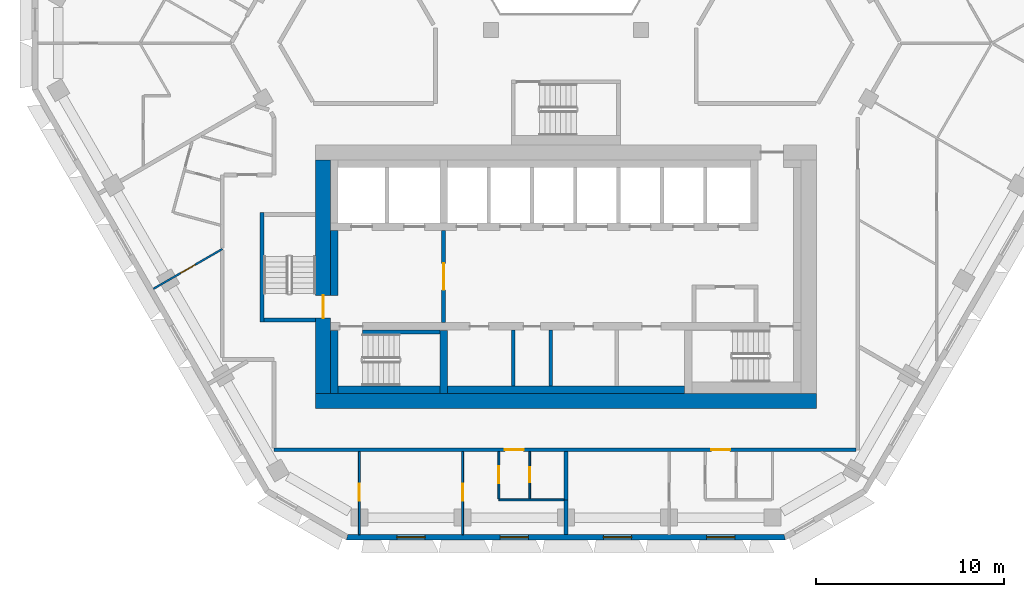
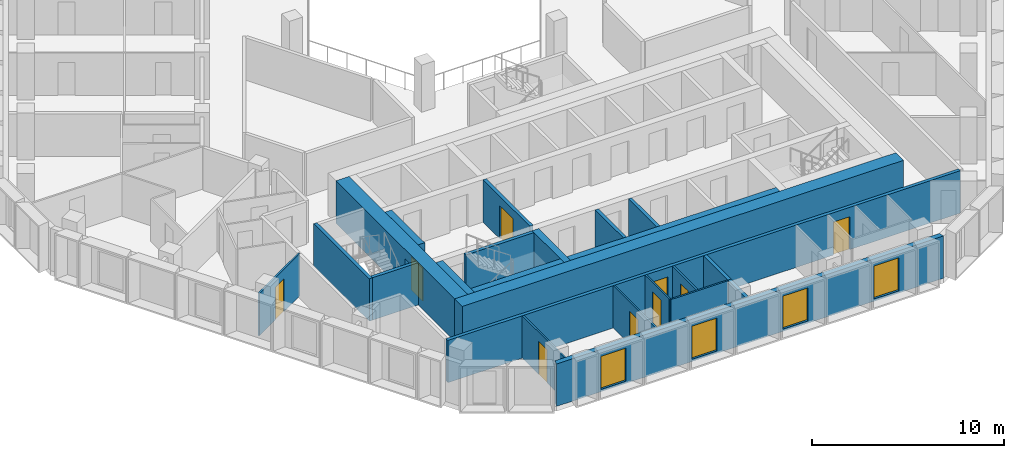
# One storey, part 3 of 15: 23 walls, 9 doors, 4 windows, 13 openings.
"""IFC4 building model written with IfcOpenShell, lengths in metres."""

from ifc_helpers import new_model, si_unit, direction, frame, frame_2d, origin, place, context, subcontext, project, spatial, polyline, rectangle, outline, extrude, material, layer, layer_set, type_object, element, fill, save


model = new_model("IFC4")

# Units and contexts
model_context = context("Model", 3, precision=1e-05, world=origin(), true_north=direction((0.0, 1.0)))
body_context = subcontext(model_context, "Body", "Model", "MODEL_VIEW")
ifc_project = project(units=[si_unit("LENGTHUNIT", "METRE"), si_unit("AREAUNIT", "SQUARE_METRE"), si_unit("VOLUMEUNIT", "CUBIC_METRE"), si_unit("PLANEANGLEUNIT", "RADIAN"), si_unit("MASSUNIT", "GRAM", prefix="KILO")], contexts=[model_context])

# Site, building, storey
site_placement = place(None, origin())
site = spatial("IfcSite", under=ifc_project, at=site_placement, CompositionType="ELEMENT")
building_placement = place(site_placement, origin())
building = spatial("IfcBuilding", under=site, at=building_placement, Name="Beryl Residences", CompositionType="ELEMENT")
storey_placement = place(building_placement, frame((0.0, 0.0, 129.60009765625)))
storey = spatial("IfcBuildingStorey", under=building, at=storey_placement, Name="L39", CompositionType="ELEMENT", Elevation=129.60009765625)

# Wall, openings, windows
ifc_material_1 = material(Name="Composite metal panel with mineral wool insulation")
ifc_layer_1 = layer(ifc_material_1, 0.300048828125)
ifc_layer_set_1 = layer_set([ifc_layer_1], Name="ES1 pale metal composite panel wall 300 mm")
wall_type_1 = type_object("IfcWallType", Name="ES1 pale metal composite panel wall 300 mm", PredefinedType="SOLIDWALL", material=ifc_layer_set_1)
wall_1_placement = place(storey_placement, frame((-11.662109375, -25.85009765625, 0.0), z_axis=(0.0, 0.0, 1.0), x_axis=(1.0, 0.0, 0.0)))
wall_1 = element("IfcWall", 1, at=wall_1_placement, inside=storey, type_object=wall_type_1, Name="ES1 external wall L39 S", PredefinedType="SOLIDWALL", context=body_context, shape_type="SweptSolid", body=[
    extrude(outline(polyline([(0.0, -0.14990234375), (23.32421875, -0.14990234375), (23.243896484375, 0.14990234375), (0.080322265625, 0.14990234375), (0.0, -0.14990234375)])), origin(), (0.0, 0.0, 1.0), 2.699951171875),
])
opening_1_placement = place(wall_1_placement, frame((2.68603515625, 0.0, 0.14990234375)))
opening_1 = element("IfcOpeningElement", 2, at=opening_1_placement, cuts=wall_1, Name="Opening W1", PredefinedType="OPENING", context=body_context, shape_type="SweptSolid", body=[
    extrude(rectangle(XDim=1.5, YDim=2.10009765625, at=frame_2d((0.75, 1.050048828125))), frame((0.0, 0.159912109375, 0.0), z_axis=(0.0, -1.0, 0.0), x_axis=(1.0, 0.0, 0.0)), (0.0, 0.0, 1.0), 0.320068359375),
])
opening_2_placement = place(wall_1_placement, frame((8.169921875, 0.0, 0.14990234375)))
opening_2 = element("IfcOpeningElement", 3, at=opening_2_placement, cuts=wall_1, Name="Opening W1", PredefinedType="OPENING", context=body_context, shape_type="SweptSolid", body=[
    extrude(rectangle(XDim=1.5, YDim=2.10009765625, at=frame_2d((0.75, 1.050048828125))), frame((0.0, 0.159912109375, 0.0), z_axis=(0.0, -1.0, 0.0), x_axis=(1.0, 0.0, 0.0)), (0.0, 0.0, 1.0), 0.320068359375),
])
opening_3_placement = place(wall_1_placement, frame((13.656005859375, 0.0, 0.14990234375)))
opening_3 = element("IfcOpeningElement", 4, at=opening_3_placement, cuts=wall_1, Name="Opening W1", PredefinedType="OPENING", context=body_context, shape_type="SweptSolid", body=[
    extrude(rectangle(XDim=1.5, YDim=2.10009765625, at=frame_2d((0.75, 1.050048828125))), frame((0.0, 0.159912109375, 0.0), z_axis=(0.0, -1.0, 0.0), x_axis=(1.0, 0.0, 0.0)), (0.0, 0.0, 1.0), 0.320068359375),
])
opening_4_placement = place(wall_1_placement, frame((19.14111328125, 0.0, 0.14990234375)))
opening_4 = element("IfcOpeningElement", 5, at=opening_4_placement, cuts=wall_1, Name="Opening W1", PredefinedType="OPENING", context=body_context, shape_type="SweptSolid", body=[
    extrude(rectangle(XDim=1.5, YDim=2.10009765625, at=frame_2d((0.75, 1.050048828125))), frame((0.0, 0.159912109375, 0.0), z_axis=(0.0, -1.0, 0.0), x_axis=(1.0, 0.0, 0.0)), (0.0, 0.0, 1.0), 0.320068359375),
])
ifc_material_2 = material(Name="Aluminium and clear glass", Category="aluminium")
window_type = type_object("IfcWindowType", Name="W1 cell window 1500 x 2100 mm", PartitioningType="SINGLE_PANEL", PredefinedType="WINDOW", material=ifc_material_2)
window_1_placement = place(opening_1_placement, origin())
window_1 = element("IfcWindow", 6, at=window_1_placement, inside=storey, type_object=window_type, Name="W1 window L39 S 2", OverallHeight=2.10009765625, OverallWidth=1.5, PartitioningType="SINGLE_PANEL", PredefinedType="WINDOW", context=body_context, shape_type="SweptSolid", body=[
    extrude(rectangle(XDim=1.5, YDim=2.10009765625, at=frame_2d((0.75, 1.050048828125))), frame((0.0, 0.030029296875, 0.0), z_axis=(0.0, -1.0, 0.0), x_axis=(1.0, 0.0, 0.0)), (0.0, 0.0, 1.0), 0.06005859375),
])
fill(opening_1, window_1)
window_2_placement = place(opening_2_placement, origin())
window_2 = element("IfcWindow", 7, at=window_2_placement, inside=storey, type_object=window_type, Name="W1 window L39 S 4", OverallHeight=2.10009765625, OverallWidth=1.5, PartitioningType="SINGLE_PANEL", PredefinedType="WINDOW", context=body_context, shape_type="SweptSolid", body=[
    extrude(rectangle(XDim=1.5, YDim=2.10009765625, at=frame_2d((0.75, 1.050048828125))), frame((0.0, 0.030029296875, 0.0), z_axis=(0.0, -1.0, 0.0), x_axis=(1.0, 0.0, 0.0)), (0.0, 0.0, 1.0), 0.06005859375),
])
fill(opening_2, window_2)
window_3_placement = place(opening_3_placement, origin())
window_3 = element("IfcWindow", 8, at=window_3_placement, inside=storey, type_object=window_type, Name="W1 window L39 S 6", OverallHeight=2.10009765625, OverallWidth=1.5, PartitioningType="SINGLE_PANEL", PredefinedType="WINDOW", context=body_context, shape_type="SweptSolid", body=[
    extrude(rectangle(XDim=1.5, YDim=2.10009765625, at=frame_2d((0.75, 1.050048828125))), frame((0.0, 0.030029296875, 0.0), z_axis=(0.0, -1.0, 0.0), x_axis=(1.0, 0.0, 0.0)), (0.0, 0.0, 1.0), 0.06005859375),
])
fill(opening_3, window_3)
window_4_placement = place(opening_4_placement, origin())
window_4 = element("IfcWindow", 9, at=window_4_placement, inside=storey, type_object=window_type, Name="W1 window L39 S 8", OverallHeight=2.10009765625, OverallWidth=1.5, PartitioningType="SINGLE_PANEL", PredefinedType="WINDOW", context=body_context, shape_type="SweptSolid", body=[
    extrude(rectangle(XDim=1.5, YDim=2.10009765625, at=frame_2d((0.75, 1.050048828125))), frame((0.0, 0.030029296875, 0.0), z_axis=(0.0, -1.0, 0.0), x_axis=(1.0, 0.0, 0.0)), (0.0, 0.0, 1.0), 0.06005859375),
])
fill(opening_4, window_4)

# Wall, opening, door
ifc_material_3 = material(Name="Gypsum board partition on steel studs", Category="steel")
ifc_layer_2 = layer(ifc_material_3, 0.10009765625)
ifc_layer_set_2 = layer_set([ifc_layer_2], Name="PT1 partition 100 mm gypsum board on steel studs")
wall_type_2 = type_object("IfcWallType", Name="PT1 partition 100 mm gypsum board on steel studs", PredefinedType="PARTITIONING", material=ifc_layer_set_2)
wall_2_placement = place(storey_placement, frame((-3.56396484375, -21.300048828125, 0.0), z_axis=(0.0, 0.0, 1.0), x_axis=(0.0, -1.0, 0.0)))
wall_2 = element("IfcWall", 10, at=wall_2_placement, inside=storey, type_object=wall_type_2, Name="Wall PT1 L39 006", PredefinedType="PARTITIONING", context=body_context, shape_type="SweptSolid", body=[
    extrude(rectangle(XDim=2.509033203125, YDim=0.10009765625, at=frame_2d((1.25439453125, 0.0))), origin(), (0.0, 0.0, 1.0), 2.699951171875),
])
opening_5_placement = place(wall_2_placement, frame((0.780029296875, 0.0, 0.0)))
opening_5 = element("IfcOpeningElement", 11, at=opening_5_placement, cuts=wall_2, Name="Opening D1202", PredefinedType="OPENING", context=body_context, shape_type="SweptSolid", body=[
    extrude(rectangle(XDim=0.89990234375, YDim=2.10009765625, at=frame_2d((0.449951171875, 1.050048828125))), frame((0.0, 0.06005859375, 0.0), z_axis=(0.0, -1.0, 0.0), x_axis=(1.0, 0.0, 0.0)), (0.0, 0.0, 1.0), 0.1201171875),
])
ifc_material_4 = material(Name="Timber door leaf", Category="wood")
door_type_1 = type_object("IfcDoorType", Name="D2 room door 900 x 2100 mm", OperationType="SINGLE_SWING_LEFT", PredefinedType="DOOR", material=ifc_material_4)
door_1_placement = place(opening_5_placement, origin())
door_1 = element("IfcDoor", 12, at=door_1_placement, inside=storey, type_object=door_type_1, Name="Door D1202 L39 001", OperationType="SINGLE_SWING_RIGHT", OverallHeight=2.10009765625, OverallWidth=0.89990234375, PredefinedType="DOOR", context=body_context, shape_type="SweptSolid", body=[
    extrude(rectangle(XDim=0.89990234375, YDim=2.10009765625, at=frame_2d((0.449951171875, 1.050048828125))), frame((0.0, 0.02490234375, 0.0), z_axis=(0.0, -1.0, 0.0), x_axis=(1.0, 0.0, 0.0)), (0.0, 0.0, 1.0), 0.050048828125),
])
fill(opening_5, door_1)

# Wall
wall_3_placement = place(storey_placement, frame((-3.56298828125, -23.860107421875, 0.0), z_axis=(0.0, 0.0, 1.0), x_axis=(1.0, 0.0, 0.0)))
element("IfcWall", 13, at=wall_3_placement, inside=storey, type_object=wall_type_2, Name="Wall PT1 L39 020", PredefinedType="PARTITIONING", context=body_context, shape_type="SweptSolid", body=[
    extrude(rectangle(XDim=3.4638671875, YDim=0.10009765625, at=frame_2d((1.73193359375, 0.0))), origin(), (0.0, 0.0, 1.0), 2.699951171875),
])

# Wall, opening, door
wall_4_placement = place(storey_placement, frame((-5.48388671875, -25.699951171875, 0.0), z_axis=(0.0, 0.0, 1.0), x_axis=(0.0, 1.0, 0.0)))
wall_4 = element("IfcWall", 14, at=wall_4_placement, inside=storey, type_object=wall_type_2, Name="Wall PT1 L39 044", PredefinedType="PARTITIONING", context=body_context, shape_type="SweptSolid", body=[
    extrude(rectangle(XDim=4.39990234375, YDim=0.10009765625, at=frame_2d((2.199951171875, 0.0))), origin(), (0.0, 0.0, 1.0), 2.699951171875),
])
opening_6_placement = place(wall_4_placement, frame((1.800048828125, 0.0, 0.0)))
opening_6 = element("IfcOpeningElement", 15, at=opening_6_placement, cuts=wall_4, Name="Opening D1204", PredefinedType="OPENING", context=body_context, shape_type="SweptSolid", body=[
    extrude(rectangle(XDim=0.89990234375, YDim=2.10009765625, at=frame_2d((0.449951171875, 1.050048828125))), frame((0.0, 0.06005859375, 0.0), z_axis=(0.0, -1.0, 0.0), x_axis=(1.0, 0.0, 0.0)), (0.0, 0.0, 1.0), 0.1201171875),
])
door_2_placement = place(opening_6_placement, origin())
door_2 = element("IfcDoor", 16, at=door_2_placement, inside=storey, type_object=door_type_1, Name="Door D1204 L39 001", OperationType="SINGLE_SWING_RIGHT", OverallHeight=2.10009765625, OverallWidth=0.89990234375, PredefinedType="DOOR", context=body_context, shape_type="SweptSolid", body=[
    extrude(rectangle(XDim=0.89990234375, YDim=2.10009765625, at=frame_2d((0.449951171875, 1.050048828125))), frame((0.0, 0.02490234375, 0.0), z_axis=(0.0, -1.0, 0.0), x_axis=(1.0, 0.0, 0.0)), (0.0, 0.0, 1.0), 0.050048828125),
])
fill(opening_6, door_2)

wall_5_placement = place(storey_placement, frame((-10.968994140625, -25.699951171875, 0.0), z_axis=(0.0, 0.0, 1.0), x_axis=(0.0, 1.0, 0.0)))
wall_5 = element("IfcWall", 17, at=wall_5_placement, inside=storey, type_object=wall_type_2, Name="Wall PT1 L39 046", PredefinedType="PARTITIONING", context=body_context, shape_type="SweptSolid", body=[
    extrude(rectangle(XDim=4.39990234375, YDim=0.10009765625, at=frame_2d((2.199951171875, 0.0))), origin(), (0.0, 0.0, 1.0), 2.699951171875),
])
opening_7_placement = place(wall_5_placement, frame((1.800048828125, 0.0, 0.0)))
opening_7 = element("IfcOpeningElement", 18, at=opening_7_placement, cuts=wall_5, Name="Opening D1205", PredefinedType="OPENING", context=body_context, shape_type="SweptSolid", body=[
    extrude(rectangle(XDim=0.89990234375, YDim=2.10009765625, at=frame_2d((0.449951171875, 1.050048828125))), frame((0.0, 0.06005859375, 0.0), z_axis=(0.0, -1.0, 0.0), x_axis=(1.0, 0.0, 0.0)), (0.0, 0.0, 1.0), 0.1201171875),
])
door_3_placement = place(opening_7_placement, origin())
door_3 = element("IfcDoor", 19, at=door_3_placement, inside=storey, type_object=door_type_1, Name="Door D1205 L39 001", OperationType="SINGLE_SWING_LEFT", OverallHeight=2.10009765625, OverallWidth=0.89990234375, PredefinedType="DOOR", context=body_context, shape_type="SweptSolid", body=[
    extrude(rectangle(XDim=0.89990234375, YDim=2.10009765625, at=frame_2d((0.449951171875, 1.050048828125))), frame((0.0, 0.02490234375, 0.0), z_axis=(0.0, -1.0, 0.0), x_axis=(1.0, 0.0, 0.0)), (0.0, 0.0, 1.0), 0.050048828125),
])
fill(opening_7, door_3)

wall_6_placement = place(storey_placement, frame((-1.9189453125, -23.81005859375, 0.0), z_axis=(0.0, 0.0, 1.0), x_axis=(0.0, 1.0, 0.0)))
wall_6 = element("IfcWall", 20, at=wall_6_placement, inside=storey, type_object=wall_type_2, Name="Wall PT1 L39 047", PredefinedType="PARTITIONING", context=body_context, shape_type="SweptSolid", body=[
    extrude(rectangle(XDim=2.510009765625, YDim=0.10009765625, at=frame_2d((1.2548828125, 0.0))), origin(), (0.0, 0.0, 1.0), 2.699951171875),
])
opening_8_placement = place(wall_6_placement, frame((0.8798828125, 0.0, 0.0)))
opening_8 = element("IfcOpeningElement", 21, at=opening_8_placement, cuts=wall_6, Name="Opening D1203", PredefinedType="OPENING", context=body_context, shape_type="SweptSolid", body=[
    extrude(rectangle(XDim=0.800048828125, YDim=2.10009765625, at=frame_2d((0.39990234375, 1.050048828125))), frame((0.0, 0.06005859375, 0.0), z_axis=(0.0, -1.0, 0.0), x_axis=(1.0, 0.0, 0.0)), (0.0, 0.0, 1.0), 0.1201171875),
])
ifc_material_5 = material(Name="Timber door leaf", Category="wood")
door_type_2 = type_object("IfcDoorType", Name="D3 bathroom door 800 x 2100 mm", OperationType="SINGLE_SWING_LEFT", PredefinedType="DOOR", material=ifc_material_5)
door_4_placement = place(opening_8_placement, origin())
door_4 = element("IfcDoor", 22, at=door_4_placement, inside=storey, type_object=door_type_2, Name="Door D1203 L39 001", OperationType="SINGLE_SWING_LEFT", OverallHeight=2.10009765625, OverallWidth=0.800048828125, PredefinedType="DOOR", context=body_context, shape_type="SweptSolid", body=[
    extrude(rectangle(XDim=0.800048828125, YDim=2.10009765625, at=frame_2d((0.39990234375, 1.050048828125))), frame((0.0, 0.02490234375, 0.0), z_axis=(0.0, -1.0, 0.0), x_axis=(1.0, 0.0, 0.0)), (0.0, 0.0, 1.0), 0.050048828125),
])
fill(opening_8, door_4)

wall_7_placement = place(storey_placement, frame((-21.910888671875, -12.64892578125, 0.0), z_axis=(0.0, 0.0, 1.0), x_axis=(0.865984571374, 0.500070717141, 0.0)))
wall_7 = element("IfcWall", 23, at=wall_7_placement, inside=storey, type_object=wall_type_2, Name="Wall PT1 L39 050", PredefinedType="PARTITIONING", context=body_context, shape_type="SweptSolid", body=[
    extrude(rectangle(XDim=4.2275390625, YDim=0.10009765625, at=frame_2d((2.11376953125, 0.0))), origin(), (0.0, 0.0, 1.0), 2.699951171875),
])
opening_9_placement = place(wall_7_placement, frame((1.6640625, 0.0, 0.0)))
opening_9 = element("IfcOpeningElement", 24, at=opening_9_placement, cuts=wall_7, Name="Opening D1253", PredefinedType="OPENING", context=body_context, shape_type="SweptSolid", body=[
    extrude(rectangle(XDim=0.89990234375, YDim=2.10009765625, at=frame_2d((0.449951171875, 1.050048828125))), frame((0.0, 0.06005859375, 0.0), z_axis=(0.0, -1.0, 0.0), x_axis=(1.0, 0.0, 0.0)), (0.0, 0.0, 1.0), 0.1201171875),
])
door_5_placement = place(opening_9_placement, origin())
door_5 = element("IfcDoor", 25, at=door_5_placement, inside=storey, type_object=door_type_1, Name="Door D1253 L39 001", OperationType="SINGLE_SWING_LEFT", OverallHeight=2.10009765625, OverallWidth=0.89990234375, PredefinedType="DOOR", context=body_context, shape_type="SweptSolid", body=[
    extrude(rectangle(XDim=0.89990234375, YDim=2.10009765625, at=frame_2d((0.449951171875, 1.050048828125))), frame((0.0, 0.02490234375, 0.0), z_axis=(0.0, -1.0, 0.0), x_axis=(1.0, 0.0, 0.0)), (0.0, 0.0, 1.0), 0.050048828125),
])
fill(opening_9, door_5)

ifc_material_6 = material(Name="Concrete masonry", Category="masonry")
ifc_layer_3 = layer(ifc_material_6, 0.199951171875)
ifc_layer_set_3 = layer_set([ifc_layer_3], Name="PT13 lobby wall 200 mm")
wall_type_3 = type_object("IfcWallType", Name="PT13 lobby wall 200 mm", PredefinedType="PARTITIONING", material=ifc_layer_set_3)
wall_8_placement = place(storey_placement, frame((-6.5, -14.449951171875, 0.0), z_axis=(0.0, 0.0, 1.0), x_axis=(0.0, 1.0, 0.0)))
wall_8 = element("IfcWall", 26, at=wall_8_placement, inside=storey, type_object=wall_type_3, Name="Lobby wall 11", PredefinedType="PARTITIONING", context=body_context, shape_type="SweptSolid", body=[
    extrude(rectangle(XDim=4.89990234375, YDim=0.199951171875, at=frame_2d((2.449951171875, 0.0))), origin(), (0.0, 0.0, 1.0), 2.699951171875),
])
opening_10_placement = place(wall_8_placement, frame((3.14990234375, 0.0, 0.0), z_axis=(0.0, 0.0, 1.0), x_axis=(-1.0, 0.0, 0.0)))
opening_10 = element("IfcOpeningElement", 27, at=opening_10_placement, cuts=wall_8, Name="Opening FD-FFL", PredefinedType="OPENING", context=body_context, shape_type="SweptSolid", body=[
    extrude(rectangle(XDim=1.39990234375, YDim=2.10009765625, at=frame_2d((0.699951171875, 1.050048828125))), frame((0.0, 0.10986328125, 0.0), z_axis=(0.0, -1.0, 0.0), x_axis=(1.0, 0.0, 0.0)), (0.0, 0.0, 1.0), 0.219970703125),
])
ifc_material_7 = material(Name="Steel door leaf in steel frame", Category="steel")
door_type_3 = type_object("IfcDoorType", Name="D5 lobby door 1400 x 2100 mm", OperationType="DOUBLE_DOOR_SINGLE_SWING", PredefinedType="DOOR", material=ifc_material_7)
door_6_placement = place(opening_10_placement, origin())
door_6 = element("IfcDoor", 28, at=door_6_placement, inside=storey, type_object=door_type_3, Name="Door FD-FFL L39 001", OperationType="DOUBLE_DOOR_SINGLE_SWING", OverallHeight=2.10009765625, OverallWidth=1.39990234375, PredefinedType="DOOR", context=body_context, shape_type="SweptSolid", body=[
    extrude(rectangle(XDim=1.39990234375, YDim=2.10009765625, at=frame_2d((0.699951171875, 1.050048828125))), frame((0.0, 0.02490234375, 0.0), z_axis=(0.0, -1.0, 0.0), x_axis=(1.0, 0.0, 0.0)), (0.0, 0.0, 1.0), 0.050048828125),
])
fill(opening_10, door_6)

# Walls
ifc_material_8 = material(Name="Concrete masonry", Category="masonry")
ifc_layer_4 = layer(ifc_material_8, 0.39990234375)
ifc_layer_set_4 = layer_set([ifc_layer_4], Name="PT13-400 lobby wall 400 mm")
wall_type_4 = type_object("IfcWallType", Name="PT13-400 lobby wall 400 mm", PredefinedType="PARTITIONING", material=ifc_layer_set_4)
wall_9_placement = place(storey_placement, frame((-12.300048828125, -13.0, 0.0), z_axis=(0.0, 0.0, 1.0), x_axis=(0.0, 1.0, 0.0)))
element("IfcWall", 29, at=wall_9_placement, inside=storey, type_object=wall_type_4, Name="Lobby wall 05", PredefinedType="PARTITIONING", context=body_context, shape_type="SweptSolid", body=[
    extrude(rectangle(XDim=3.449951171875, YDim=0.39990234375, at=frame_2d((1.72509765625, 0.0))), origin(), (0.0, 0.0, 1.0), 2.699951171875),
])
ifc_material_9 = material(Name="Acoustic double stud gypsum board wall")
ifc_layer_5 = layer(ifc_material_9, 0.199951171875)
ifc_layer_set_5 = layer_set([ifc_layer_5], Name="PT3 party wall 200 mm acoustic double stud")
wall_type_5 = type_object("IfcWallType", Name="PT3 party wall 200 mm acoustic double stud", PredefinedType="PARTITIONING", material=ifc_layer_set_5)
wall_10_placement = place(storey_placement, frame((0.0009765625, -23.860107421875, 0.0), z_axis=(0.0, 0.0, 1.0), x_axis=(0.0, -1.0, 0.0)))
element("IfcWall", 30, at=wall_10_placement, inside=storey, type_object=wall_type_5, Name="Wall PT3 L39 003", PredefinedType="PARTITIONING", context=body_context, shape_type="SweptSolid", body=[
    extrude(rectangle(XDim=1.83984375, YDim=0.199951171875, at=frame_2d((0.919921875, 0.0))), origin(), (0.0, 0.0, 1.0), 2.699951171875),
])
wall_11_placement = place(storey_placement, frame((0.0009765625, -23.860107421875, 0.0), z_axis=(0.0, 0.0, 1.0), x_axis=(0.0, 1.0, 0.0)))
element("IfcWall", 31, at=wall_11_placement, inside=storey, type_object=wall_type_5, Name="Wall PT3 L39 010", PredefinedType="PARTITIONING", context=body_context, shape_type="SweptSolid", body=[
    extrude(rectangle(XDim=2.56005859375, YDim=0.199951171875, at=frame_2d((1.280029296875, 0.0))), origin(), (0.0, 0.0, 1.0), 2.699951171875),
])

# Wall, openings, doors
ifc_material_10 = material(Name="Double stud gypsum board wall")
ifc_layer_6 = layer(ifc_material_10, 0.199951171875)
ifc_layer_set_6 = layer_set([ifc_layer_6], Name="PT4 corridor wall 200 mm double stud")
wall_type_6 = type_object("IfcWallType", Name="PT4 corridor wall 200 mm double stud", PredefinedType="PARTITIONING", material=ifc_layer_set_6)
wall_12_placement = place(storey_placement, frame((-15.4990234375, -21.199951171875, 0.0), z_axis=(0.0, 0.0, 1.0), x_axis=(1.0, 0.0, 0.0)))
wall_12 = element("IfcWall", 32, at=wall_12_placement, inside=storey, type_object=wall_type_6, Name="Wall PT4 L39 012", PredefinedType="PARTITIONING", context=body_context, shape_type="SweptSolid", body=[
    extrude(rectangle(XDim=30.89794921875, YDim=0.199951171875, at=frame_2d((15.448974609375, 0.0))), origin(), (0.0, 0.0, 1.0), 2.699951171875),
])
opening_11_placement = place(wall_12_placement, frame((12.258056640625, 0.0, 0.0)))
opening_11 = element("IfcOpeningElement", 33, at=opening_11_placement, cuts=wall_12, Name="Opening D1201", PredefinedType="OPENING", context=body_context, shape_type="SweptSolid", body=[
    extrude(rectangle(XDim=1.0, YDim=2.10009765625, at=frame_2d((0.5, 1.050048828125))), frame((0.0, 0.10986328125, 0.0), z_axis=(0.0, -1.0, 0.0), x_axis=(1.0, 0.0, 0.0)), (0.0, 0.0, 1.0), 0.219970703125),
])
opening_12_placement = place(wall_12_placement, frame((23.22802734375, 0.0, 0.0)))
opening_12 = element("IfcOpeningElement", 34, at=opening_12_placement, cuts=wall_12, Name="Opening D1206", PredefinedType="OPENING", context=body_context, shape_type="SweptSolid", body=[
    extrude(rectangle(XDim=1.0, YDim=2.10009765625, at=frame_2d((0.5, 1.050048828125))), frame((0.0, 0.10986328125, 0.0), z_axis=(0.0, -1.0, 0.0), x_axis=(1.0, 0.0, 0.0)), (0.0, 0.0, 1.0), 0.219970703125),
])
ifc_material_11 = material(Name="Timber door leaf", Category="wood")
door_type_4 = type_object("IfcDoorType", Name="D1 flat entrance door 1000 x 2100 mm", OperationType="SINGLE_SWING_LEFT", PredefinedType="DOOR", material=ifc_material_11)
door_7_placement = place(opening_11_placement, origin())
door_7 = element("IfcDoor", 35, at=door_7_placement, inside=storey, type_object=door_type_4, Name="Door D1201 L39 001", OperationType="SINGLE_SWING_LEFT", OverallHeight=2.10009765625, OverallWidth=1.0, PredefinedType="DOOR", context=body_context, shape_type="SweptSolid", body=[
    extrude(rectangle(XDim=1.0, YDim=2.10009765625, at=frame_2d((0.5, 1.050048828125))), frame((0.0, 0.02490234375, 0.0), z_axis=(0.0, -1.0, 0.0), x_axis=(1.0, 0.0, 0.0)), (0.0, 0.0, 1.0), 0.050048828125),
])
fill(opening_11, door_7)
door_8_placement = place(opening_12_placement, origin())
door_8 = element("IfcDoor", 36, at=door_8_placement, inside=storey, type_object=door_type_4, Name="Door D1206 L39 001", OperationType="SINGLE_SWING_RIGHT", OverallHeight=2.10009765625, OverallWidth=1.0, PredefinedType="DOOR", context=body_context, shape_type="SweptSolid", body=[
    extrude(rectangle(XDim=1.0, YDim=2.10009765625, at=frame_2d((0.5, 1.050048828125))), frame((0.0, 0.02490234375, 0.0), z_axis=(0.0, -1.0, 0.0), x_axis=(1.0, 0.0, 0.0)), (0.0, 0.0, 1.0), 0.050048828125),
])
fill(opening_12, door_8)

# Walls
ifc_material_12 = material(Name="Concrete C40/50", Category="concrete")
ifc_layer_7 = layer(ifc_material_12, 0.199951171875)
ifc_layer_set_7 = layer_set([ifc_layer_7], Name="PT5 stair enclosure wall 200 mm reinforced concrete C40/50")
wall_type_7 = type_object("IfcWallType", Name="PT5 stair enclosure wall 200 mm reinforced concrete C40/50", PredefinedType="SOLIDWALL", material=ifc_layer_set_7)
wall_13_placement = place(storey_placement, frame((-16.14990234375, -14.39990234375, 0.0), z_axis=(0.0, 0.0, 1.0), x_axis=(0.0, 1.0, 0.0)))
element("IfcWall", 37, at=wall_13_placement, inside=storey, type_object=wall_type_7, Name="Stair wall 01", PredefinedType="SOLIDWALL", context=body_context, shape_type="SweptSolid", body=[
    extrude(rectangle(XDim=5.7998046875, YDim=0.199951171875, at=frame_2d((2.89990234375, 0.0))), origin(), (0.0, 0.0, 1.0), 2.699951171875),
])
wall_14_placement = place(storey_placement, frame((-16.050048828125, -14.300048828125, 0.0), z_axis=(0.0, 0.0, 1.0), x_axis=(1.0, 0.0, 0.0)))
element("IfcWall", 38, at=wall_14_placement, inside=storey, type_object=wall_type_7, Name="Stair wall 02", PredefinedType="SOLIDWALL", context=body_context, shape_type="SweptSolid", body=[
    extrude(rectangle(XDim=2.75, YDim=0.199951171875, at=frame_2d((1.375, 0.0))), origin(), (0.0, 0.0, 1.0), 2.699951171875),
])
wall_15_placement = place(storey_placement, frame((-10.800048828125, -14.949951171875, 0.0), z_axis=(0.0, 0.0, 1.0), x_axis=(1.0, 0.0, 0.0)))
element("IfcWall", 39, at=wall_15_placement, inside=storey, type_object=wall_type_7, Name="Stair wall 09", PredefinedType="SOLIDWALL", context=body_context, shape_type="SweptSolid", body=[
    extrude(rectangle(XDim=4.10009765625, YDim=0.199951171875, at=frame_2d((2.050048828125, 0.0))), origin(), (0.0, 0.0, 1.0), 2.699951171875),
])
ifc_material_13 = material(Name="Concrete C40/50", Category="concrete")
ifc_layer_8 = layer(ifc_material_13, 0.39990234375)
ifc_layer_set_8 = layer_set([ifc_layer_8], Name="PT5-400 stair enclosure wall 400 mm")
wall_type_8 = type_object("IfcWallType", Name="PT5-400 stair enclosure wall 400 mm", PredefinedType="SOLIDWALL", material=ifc_layer_set_8)
wall_16_placement = place(storey_placement, frame((-12.300048828125, -18.199951171875, 0.0), z_axis=(0.0, 0.0, 1.0), x_axis=(0.0, 1.0, 0.0)))
element("IfcWall", 40, at=wall_16_placement, inside=storey, type_object=wall_type_8, Name="Stair wall 04", PredefinedType="SOLIDWALL", context=body_context, shape_type="SweptSolid", body=[
    extrude(rectangle(XDim=3.349853515625, YDim=0.39990234375, at=frame_2d((1.6748046875, 0.0))), origin(), (0.0, 0.0, 1.0), 2.699951171875),
])
wall_17_placement = place(storey_placement, frame((-12.10009765625, -18.0, 0.0), z_axis=(0.0, 0.0, 1.0), x_axis=(1.0, 0.0, 0.0)))
element("IfcWall", 41, at=wall_17_placement, inside=storey, type_object=wall_type_8, Name="Stair wall 07", PredefinedType="SOLIDWALL", context=body_context, shape_type="SweptSolid", body=[
    extrude(rectangle(XDim=5.400146484375, YDim=0.39990234375, at=frame_2d((2.7001953125, 0.0))), origin(), (0.0, 0.0, 1.0), 2.699951171875),
])
ifc_material_14 = material(Name="Concrete masonry", Category="masonry")
ifc_layer_9 = layer(ifc_material_14, 0.199951171875)
ifc_layer_set_9 = layer_set([ifc_layer_9], Name="PT8-200 service room wall 200 mm")
wall_type_9 = type_object("IfcWallType", Name="PT8-200 service room wall 200 mm", PredefinedType="PARTITIONING", material=ifc_layer_set_9)
for number, where, z_axis, x_axis, name in (
    (42, (-2.800048828125, -17.800048828125, 0.0), (0.0, 0.0, 1.0), (0.0, 1.0, 0.0), "Core room wall 15"),
    (43, (-0.800048828125, -17.800048828125, 0.0), (0.0, 0.0, 1.0), (0.0, 1.0, 0.0), "Core room wall 17"),
):
    element("IfcWall", number, at=place(storey_placement, frame(where, z_axis=z_axis, x_axis=x_axis)), inside=storey, type_object=wall_type_9, Name=name, PredefinedType="PARTITIONING", context=body_context, shape_type="SweptSolid", body=[
        extrude(rectangle(XDim=2.949951171875, YDim=0.199951171875, at=frame_2d((1.47509765625, 0.0))), origin(), (0.0, 0.0, 1.0), 2.699951171875),
    ])
ifc_material_15 = material(Name="Concrete masonry", Category="masonry")
ifc_layer_10 = layer(ifc_material_15, 0.39990234375)
ifc_layer_set_10 = layer_set([ifc_layer_10], Name="PT8-400 service room wall 400 mm")
wall_type_10 = type_object("IfcWallType", Name="PT8-400 service room wall 400 mm", PredefinedType="PARTITIONING", material=ifc_layer_set_10)
wall_18_placement = place(storey_placement, frame((-6.300048828125, -18.0, 0.0), z_axis=(0.0, 0.0, 1.0), x_axis=(1.0, 0.0, 0.0)))
element("IfcWall", 44, at=wall_18_placement, inside=storey, type_object=wall_type_10, Name="Core room wall 12", PredefinedType="PARTITIONING", context=body_context, shape_type="SweptSolid", body=[
    extrude(rectangle(XDim=12.60009765625, YDim=0.39990234375, at=frame_2d((6.300048828125, 0.0))), origin(), (0.0, 0.0, 1.0), 2.699951171875),
])
ifc_material_16 = material(Name="Concrete C60/75", Category="concrete")
ifc_layer_11 = layer(ifc_material_16, 0.800048828125)
ifc_layer_set_11 = layer_set([ifc_layer_11], Name="SW3 core outer wall 800 mm C60/75")
wall_type_11 = type_object("IfcWallType", Name="SW3 core outer wall 800 mm C60/75", PredefinedType="SHEAR", material=ifc_layer_set_11)
wall_19_placement = place(storey_placement, frame((-13.300048828125, -18.60009765625, 0.0), z_axis=(0.0, 0.0, 1.0), x_axis=(1.0, 0.0, 0.0)))
element("IfcWall", 45, at=wall_19_placement, inside=storey, type_object=wall_type_11, Name="Core wall S L39", PredefinedType="SHEAR", context=body_context, shape_type="SweptSolid", body=[
    extrude(rectangle(XDim=26.60009765625, YDim=0.800048828125, at=frame_2d((13.300048828125, 0.0))), origin(), (0.0, 0.0, 1.0), 2.699951171875),
])

# Wall, opening, door
wall_20_placement = place(storey_placement, frame((-12.89990234375, -18.199951171875, 0.0), z_axis=(0.0, 0.0, 1.0), x_axis=(0.0, 1.0, 0.0)))
wall_20 = element("IfcWall", 46, at=wall_20_placement, inside=storey, type_object=wall_type_11, Name="Core wall W L39", PredefinedType="SHEAR", context=body_context, shape_type="SweptSolid", body=[
    extrude(rectangle(XDim=12.39990234375, YDim=0.800048828125, at=frame_2d((6.199951171875, 0.0))), origin(), (0.0, 0.0, 1.0), 2.699951171875),
])
opening_13_placement = place(wall_20_placement, frame((4.0, 0.0, 0.0)))
opening_13 = element("IfcOpeningElement", 47, at=opening_13_placement, cuts=wall_20, Name="Opening SD-2", PredefinedType="OPENING", context=body_context, shape_type="SweptSolid", body=[
    extrude(rectangle(XDim=1.199951171875, YDim=2.10009765625, at=frame_2d((0.60009765625, 1.050048828125))), frame((0.0, 0.409912109375, 0.0), z_axis=(0.0, -1.0, 0.0), x_axis=(1.0, 0.0, 0.0)), (0.0, 0.0, 1.0), 0.820068359375),
])
ifc_material_17 = material(Name="Steel door leaf in steel frame", Category="steel")
door_type_5 = type_object("IfcDoorType", Name="D4 stair door 1200 x 2100 mm", OperationType="SINGLE_SWING_LEFT", PredefinedType="DOOR", material=ifc_material_17)
door_9_placement = place(opening_13_placement, origin())
door_9 = element("IfcDoor", 48, at=door_9_placement, inside=storey, type_object=door_type_5, Name="Door SD-2 L39 001", OperationType="SINGLE_SWING_RIGHT", OverallHeight=2.10009765625, OverallWidth=1.199951171875, PredefinedType="DOOR", context=body_context, shape_type="SweptSolid", body=[
    extrude(rectangle(XDim=1.199951171875, YDim=2.10009765625, at=frame_2d((0.60009765625, 1.050048828125))), frame((0.0, 0.02490234375, 0.0), z_axis=(0.0, -1.0, 0.0), x_axis=(1.0, 0.0, 0.0)), (0.0, 0.0, 1.0), 0.050048828125),
])
fill(opening_13, door_9)

# Wall
ifc_material_18 = material(Name="Concrete C60/75", Category="concrete")
ifc_layer_12 = layer(ifc_material_18, 0.39990234375)
ifc_layer_set_12 = layer_set([ifc_layer_12], Name="SW8 core internal wall 400 mm C60/75")
wall_type_12 = type_object("IfcWallType", Name="SW8 core internal wall 400 mm C60/75", PredefinedType="SHEAR", material=ifc_layer_set_12)
wall_21_placement = place(storey_placement, frame((-6.5, -18.199951171875, 0.0), z_axis=(0.0, 0.0, 1.0), x_axis=(0.0, 1.0, 0.0)))
element("IfcWall", 49, at=wall_21_placement, inside=storey, type_object=wall_type_12, Name="Core wall XS1 L39", PredefinedType="SHEAR", context=body_context, shape_type="SweptSolid", body=[
    extrude(rectangle(XDim=3.349853515625, YDim=0.39990234375, at=frame_2d((1.6748046875, 0.0))), origin(), (0.0, 0.0, 1.0), 2.699951171875),
])

save(model, "model.ifc")
